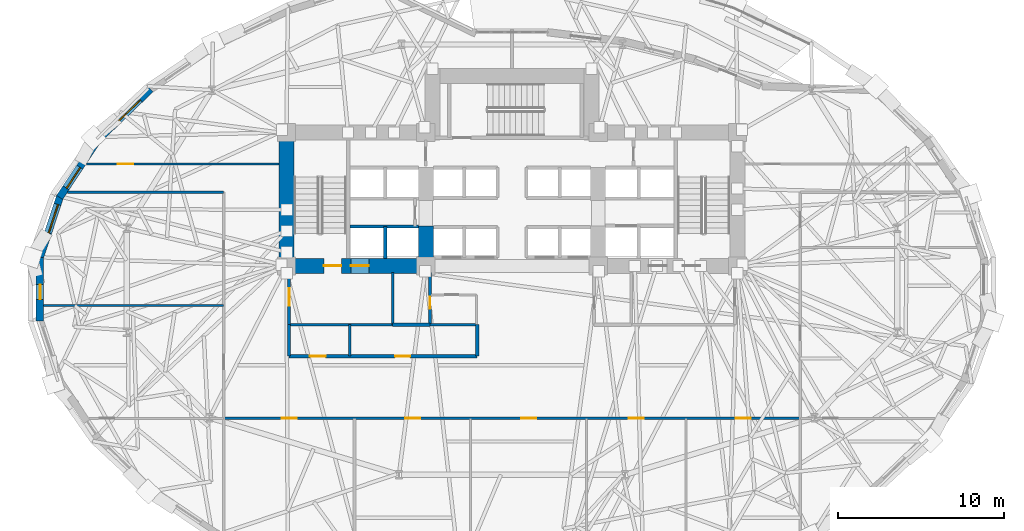
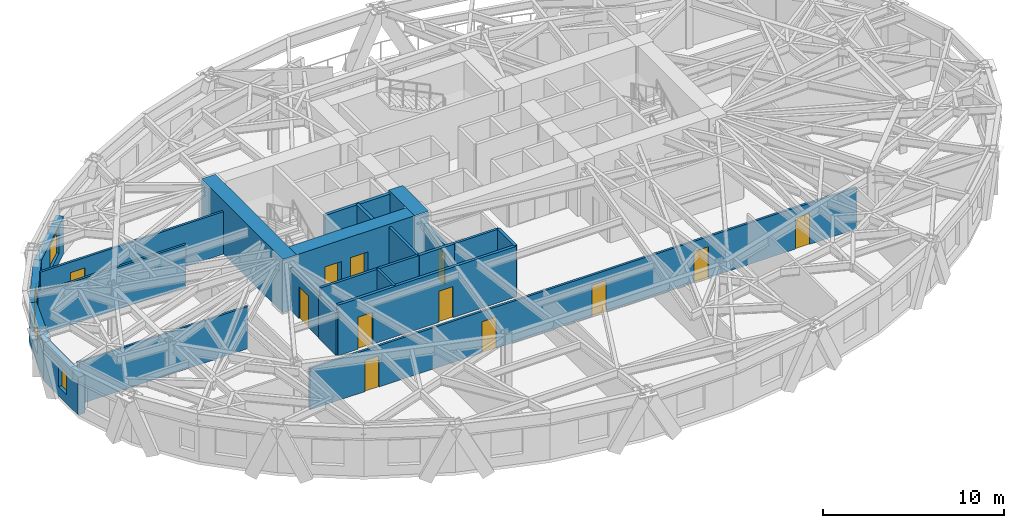
# One storey, part 8 of 15: 23 walls, 12 doors, 4 windows, 16 openings.
"""IFC4 building model written with IfcOpenShell, lengths in metres."""

from ifc_helpers import new_model, si_unit, direction, frame, frame_2d, origin, place, context, subcontext, project, spatial, rectangle, extrude, material, layer, layer_set, type_object, element, fill, save


model = new_model("IFC4")

# Units and contexts
model_context = context("Model", 3, precision=1e-05, world=origin(), true_north=direction((0.0, 1.0)))
body_context = subcontext(model_context, "Body", "Model", "MODEL_VIEW")
ifc_project = project(units=[si_unit("LENGTHUNIT", "METRE"), si_unit("AREAUNIT", "SQUARE_METRE"), si_unit("VOLUMEUNIT", "CUBIC_METRE"), si_unit("PLANEANGLEUNIT", "RADIAN"), si_unit("MASSUNIT", "GRAM", prefix="KILO")], contexts=[model_context])

# Site, building, storey
site_placement = place(None, origin())
site = spatial("IfcSite", under=ifc_project, at=site_placement, CompositionType="ELEMENT")
building_placement = place(site_placement, origin())
building = spatial("IfcBuilding", under=site, at=building_placement, Name="Keldmark Tower", CompositionType="ELEMENT")
storey_placement = place(building_placement, frame((0.0, 0.0, 55.800048828125)))
storey = spatial("IfcBuildingStorey", under=building, at=storey_placement, Name="L14", CompositionType="ELEMENT", Elevation=55.800048828125)

# Wall, openings, doors
ifc_material_1 = material(Name="Acoustic Double-Layer Gypsum Corridor Partition", Category="gypsum")
ifc_layer_1 = layer(ifc_material_1, 0.139892578125)
ifc_layer_set_1 = layer_set([ifc_layer_1], Name="Acoustic Double-Layer Gypsum Corridor Partition")
wall_type_1 = type_object("IfcWallType", Name="Acoustic Corridor Partition 140 mm", PredefinedType="PARTITIONING", material=ifc_layer_set_1)
wall_1_placement = place(storey_placement, frame((-17.39990234375, -7.800048828125, 0.0), z_axis=(0.0, 0.0, 1.0), x_axis=(1.0, 0.0, 0.0)))
wall_1 = element("IfcWall", 1, at=wall_1_placement, inside=storey, type_object=wall_type_1, Name="L14 Acoustic Corridor Partition 140 mm COR-S", PredefinedType="PARTITIONING", context=body_context, shape_type="SweptSolid", body=[
    extrude(rectangle(XDim=34.7998046875, YDim=0.139892578125, at=frame_2d((17.39990234375, 0.0))), origin(), (0.0, 0.0, 1.0), 2.779052734375),
])
opening_1_placement = place(wall_1_placement, frame((3.5, 0.0, 0.0)))
opening_1 = element("IfcOpeningElement", 2, at=opening_1_placement, cuts=wall_1, Name="Opening D-IN090", PredefinedType="OPENING", context=body_context, shape_type="SweptSolid", body=[
    extrude(rectangle(XDim=0.89990234375, YDim=2.10009765625, at=frame_2d((0.449951171875, 1.050048828125))), frame((0.0, 0.079833984375, 0.0), z_axis=(0.0, -1.0, 0.0), x_axis=(1.0, 0.0, 0.0)), (0.0, 0.0, 1.0), 0.159912109375),
])
opening_2_placement = place(wall_1_placement, frame((10.949951171875, 0.0, 0.0)))
opening_2 = element("IfcOpeningElement", 3, at=opening_2_placement, cuts=wall_1, Name="Opening D-IN090", PredefinedType="OPENING", context=body_context, shape_type="SweptSolid", body=[
    extrude(rectangle(XDim=0.89990234375, YDim=2.10009765625, at=frame_2d((0.449951171875, 1.050048828125))), frame((0.0, 0.079833984375, 0.0), z_axis=(0.0, -1.0, 0.0), x_axis=(1.0, 0.0, 0.0)), (0.0, 0.0, 1.0), 0.159912109375),
])
opening_3_placement = place(wall_1_placement, frame((17.949951171875, 0.0, 0.0)))
opening_3 = element("IfcOpeningElement", 4, at=opening_3_placement, cuts=wall_1, Name="Opening D-IN090", PredefinedType="OPENING", context=body_context, shape_type="SweptSolid", body=[
    extrude(rectangle(XDim=0.89990234375, YDim=2.10009765625, at=frame_2d((0.449951171875, 1.050048828125))), frame((0.0, 0.079833984375, 0.0), z_axis=(0.0, -1.0, 0.0), x_axis=(1.0, 0.0, 0.0)), (0.0, 0.0, 1.0), 0.159912109375),
])
opening_4_placement = place(wall_1_placement, frame((24.449951171875, 0.0, 0.0)))
opening_4 = element("IfcOpeningElement", 5, at=opening_4_placement, cuts=wall_1, Name="Opening D-IN090", PredefinedType="OPENING", context=body_context, shape_type="SweptSolid", body=[
    extrude(rectangle(XDim=0.89990234375, YDim=2.10009765625, at=frame_2d((0.449951171875, 1.050048828125))), frame((0.0, 0.079833984375, 0.0), z_axis=(0.0, -1.0, 0.0), x_axis=(1.0, 0.0, 0.0)), (0.0, 0.0, 1.0), 0.159912109375),
])
opening_5_placement = place(wall_1_placement, frame((30.89990234375, 0.0, 0.0)))
opening_5 = element("IfcOpeningElement", 6, at=opening_5_placement, cuts=wall_1, Name="Opening D-IN090", PredefinedType="OPENING", context=body_context, shape_type="SweptSolid", body=[
    extrude(rectangle(XDim=0.89990234375, YDim=2.10009765625, at=frame_2d((0.449951171875, 1.050048828125))), frame((0.0, 0.079833984375, 0.0), z_axis=(0.0, -1.0, 0.0), x_axis=(1.0, 0.0, 0.0)), (0.0, 0.0, 1.0), 0.159912109375),
])
ifc_material_2 = material(Name="Stained American White Oak Veneer", Category="wood")
door_type_1 = type_object("IfcDoorType", Name="Interior Door 900x2100", OperationType="NOTDEFINED", PredefinedType="DOOR", material=ifc_material_2)
door_1_placement = place(opening_1_placement, origin())
door_1 = element("IfcDoor", 7, at=door_1_placement, inside=storey, type_object=door_type_1, Name="L14 Interior Door 900x2100 D-SR-1-L14", OperationType="SINGLE_SWING_LEFT", OverallHeight=2.10009765625, OverallWidth=0.89990234375, PredefinedType="DOOR", context=body_context, shape_type="SweptSolid", body=[
    extrude(rectangle(XDim=0.89990234375, YDim=2.10009765625, at=frame_2d((0.449951171875, 1.050048828125))), frame((0.0, 0.02490234375, 0.0), z_axis=(0.0, -1.0, 0.0), x_axis=(1.0, 0.0, 0.0)), (0.0, 0.0, 1.0), 0.050048828125),
])
fill(opening_1, door_1)
door_2_placement = place(opening_2_placement, origin())
door_2 = element("IfcDoor", 8, at=door_2_placement, inside=storey, type_object=door_type_1, Name="L14 Interior Door 900x2100 D-SR-2-L14", OperationType="SINGLE_SWING_RIGHT", OverallHeight=2.10009765625, OverallWidth=0.89990234375, PredefinedType="DOOR", context=body_context, shape_type="SweptSolid", body=[
    extrude(rectangle(XDim=0.89990234375, YDim=2.10009765625, at=frame_2d((0.449951171875, 1.050048828125))), frame((0.0, 0.02490234375, 0.0), z_axis=(0.0, -1.0, 0.0), x_axis=(1.0, 0.0, 0.0)), (0.0, 0.0, 1.0), 0.050048828125),
])
fill(opening_2, door_2)
door_3_placement = place(opening_3_placement, origin())
door_3 = element("IfcDoor", 9, at=door_3_placement, inside=storey, type_object=door_type_1, Name="L14 Interior Door 900x2100 D-SR-3-L14", OperationType="SINGLE_SWING_LEFT", OverallHeight=2.10009765625, OverallWidth=0.89990234375, PredefinedType="DOOR", context=body_context, shape_type="SweptSolid", body=[
    extrude(rectangle(XDim=0.89990234375, YDim=2.10009765625, at=frame_2d((0.449951171875, 1.050048828125))), frame((0.0, 0.02490234375, 0.0), z_axis=(0.0, -1.0, 0.0), x_axis=(1.0, 0.0, 0.0)), (0.0, 0.0, 1.0), 0.050048828125),
])
fill(opening_3, door_3)
door_4_placement = place(opening_4_placement, origin())
door_4 = element("IfcDoor", 10, at=door_4_placement, inside=storey, type_object=door_type_1, Name="L14 Interior Door 900x2100 D-SR-4-L14", OperationType="SINGLE_SWING_RIGHT", OverallHeight=2.10009765625, OverallWidth=0.89990234375, PredefinedType="DOOR", context=body_context, shape_type="SweptSolid", body=[
    extrude(rectangle(XDim=0.89990234375, YDim=2.10009765625, at=frame_2d((0.449951171875, 1.050048828125))), frame((0.0, 0.02490234375, 0.0), z_axis=(0.0, -1.0, 0.0), x_axis=(1.0, 0.0, 0.0)), (0.0, 0.0, 1.0), 0.050048828125),
])
fill(opening_4, door_4)
door_5_placement = place(opening_5_placement, origin())
door_5 = element("IfcDoor", 11, at=door_5_placement, inside=storey, type_object=door_type_1, Name="L14 Interior Door 900x2100 D-SR-5-L14", OperationType="SINGLE_SWING_LEFT", OverallHeight=2.10009765625, OverallWidth=0.89990234375, PredefinedType="DOOR", context=body_context, shape_type="SweptSolid", body=[
    extrude(rectangle(XDim=0.89990234375, YDim=2.10009765625, at=frame_2d((0.449951171875, 1.050048828125))), frame((0.0, 0.02490234375, 0.0), z_axis=(0.0, -1.0, 0.0), x_axis=(1.0, 0.0, 0.0)), (0.0, 0.0, 1.0), 0.050048828125),
])
fill(opening_5, door_5)

# Wall, opening, door
wall_2_placement = place(storey_placement, frame((-25.68359375, 7.550048828125, 0.0), z_axis=(0.0, 0.0, 1.0), x_axis=(1.0, 0.0, 0.0)))
wall_2 = element("IfcWall", 12, at=wall_2_placement, inside=storey, type_object=wall_type_1, Name="L14 Acoustic Corridor Partition 140 mm COR-WN-CAP", PredefinedType="PARTITIONING", context=body_context, shape_type="SweptSolid", body=[
    extrude(rectangle(XDim=11.633544921875, YDim=0.139892578125, at=frame_2d((5.81689453125, 0.0))), origin(), (0.0, 0.0, 1.0), 2.85302734375),
])
opening_6_placement = place(wall_2_placement, frame((1.900146484375, 0.0, 0.0)))
opening_6 = element("IfcOpeningElement", 13, at=opening_6_placement, cuts=wall_2, Name="Opening D-EX092", PredefinedType="OPENING", context=body_context, shape_type="SweptSolid", body=[
    extrude(rectangle(XDim=0.919921875, YDim=2.14990234375, at=frame_2d((0.4599609375, 1.074951171875))), frame((0.0, 0.079833984375, 0.0), z_axis=(0.0, -1.0, 0.0), x_axis=(1.0, 0.0, 0.0)), (0.0, 0.0, 1.0), 0.159912109375),
])
ifc_material_3 = material(Name="Flush American Ash Executive Office Door", Category="wood")
door_type_2 = type_object("IfcDoorType", Name="Executive Office Door 920x2150", OperationType="NOTDEFINED", PredefinedType="DOOR", material=ifc_material_3)
door_6_placement = place(opening_6_placement, origin())
door_6 = element("IfcDoor", 14, at=door_6_placement, inside=storey, type_object=door_type_2, Name="L14 Executive Office Door 920x2150 D-NRNW-L14", OperationType="SINGLE_SWING_LEFT", OverallHeight=2.14990234375, OverallWidth=0.919921875, PredefinedType="DOOR", context=body_context, shape_type="SweptSolid", body=[
    extrude(rectangle(XDim=0.919921875, YDim=2.14990234375, at=frame_2d((0.4599609375, 1.074951171875))), frame((0.0, 0.02490234375, 0.0), z_axis=(0.0, -1.0, 0.0), x_axis=(1.0, 0.0, 0.0)), (0.0, 0.0, 1.0), 0.050048828125),
])
fill(opening_6, door_6)

# Wall
wall_3_placement = place(storey_placement, frame((-26.8125, 5.85009765625, 0.0), z_axis=(0.0, 0.0, 1.0), x_axis=(1.0, 0.0, 0.0)))
element("IfcWall", 15, at=wall_3_placement, inside=storey, type_object=wall_type_1, Name="L14 Acoustic Corridor Partition 140 mm COR-WA-S", PredefinedType="PARTITIONING", context=body_context, shape_type="SweptSolid", body=[
    extrude(rectangle(XDim=9.41259765625, YDim=0.139892578125, at=frame_2d((4.706298828125, 0.0))), origin(), (0.0, 0.0, 1.0), 2.85302734375),
])

# Wall, openings, doors
ifc_material_4 = material(Name="Heavy Acoustic Plumbing Chase Gypsum Assembly", Category="gypsum")
ifc_layer_2 = layer(ifc_material_4, 0.18994140625)
ifc_layer_set_2 = layer_set([ifc_layer_2], Name="Heavy Acoustic Plumbing Chase Gypsum Assembly")
wall_type_2 = type_object("IfcWallType", Name="Heavy Wet Wall 190 mm", PredefinedType="PLUMBINGWALL", material=ifc_layer_set_2)
wall_4_placement = place(storey_placement, frame((-13.449951171875, -4.050048828125, 0.0), z_axis=(0.0, 0.0, 1.0), x_axis=(1.0, 0.0, 0.0)))
wall_4 = element("IfcWall", 16, at=wall_4_placement, inside=storey, type_object=wall_type_2, Name="L14 Heavy Wet Wall 190 mm SPK-W-S", PredefinedType="PLUMBINGWALL", context=body_context, shape_type="SweptSolid", body=[
    extrude(rectangle(XDim=11.349853515625, YDim=0.18994140625, at=frame_2d((5.6748046875, 0.0))), origin(), (0.0, 0.0, 1.0), 3.39990234375),
])
opening_7_placement = place(wall_4_placement, frame((1.25, 0.0, 0.0)))
opening_7 = element("IfcOpeningElement", 17, at=opening_7_placement, cuts=wall_4, Name="Opening D-AWC95", PredefinedType="OPENING", context=body_context, shape_type="SweptSolid", body=[
    extrude(rectangle(XDim=0.949951171875, YDim=2.14990234375, at=frame_2d((0.47509765625, 1.074951171875))), frame((0.0, 0.10498046875, 0.0), z_axis=(0.0, -1.0, 0.0), x_axis=(1.0, 0.0, 0.0)), (0.0, 0.0, 1.0), 0.2099609375),
])
opening_8_placement = place(wall_4_placement, frame((6.39990234375, 0.0, 0.0)))
opening_8 = element("IfcOpeningElement", 18, at=opening_8_placement, cuts=wall_4, Name="Opening D-IN090", PredefinedType="OPENING", context=body_context, shape_type="SweptSolid", body=[
    extrude(rectangle(XDim=0.89990234375, YDim=2.10009765625, at=frame_2d((0.449951171875, 1.050048828125))), frame((0.0, 0.10498046875, 0.0), z_axis=(0.0, -1.0, 0.0), x_axis=(1.0, 0.0, 0.0)), (0.0, 0.0, 1.0), 0.2099609375),
])
ifc_material_5 = material(Name="Painted Solid-Core Architectural Wood", Category="wood")
door_type_3 = type_object("IfcDoorType", Name="Accessible WC Door 950x2150", OperationType="NOTDEFINED", PredefinedType="DOOR", material=ifc_material_5)
door_7_placement = place(opening_7_placement, origin())
door_7 = element("IfcDoor", 19, at=door_7_placement, inside=storey, type_object=door_type_3, Name="L14 Accessible WC Door 950x2150 D-SPKW1-L14", OperationType="SINGLE_SWING_RIGHT", OverallHeight=2.14990234375, OverallWidth=0.949951171875, PredefinedType="DOOR", context=body_context, shape_type="SweptSolid", body=[
    extrude(rectangle(XDim=0.949951171875, YDim=2.14990234375, at=frame_2d((0.47509765625, 1.074951171875))), frame((0.0, 0.02490234375, 0.0), z_axis=(0.0, -1.0, 0.0), x_axis=(1.0, 0.0, 0.0)), (0.0, 0.0, 1.0), 0.050048828125),
])
fill(opening_7, door_7)
door_8_placement = place(opening_8_placement, origin())
door_8 = element("IfcDoor", 20, at=door_8_placement, inside=storey, type_object=door_type_1, Name="L14 Interior Door 900x2100 D-SPKW2-L14", OperationType="SINGLE_SWING_RIGHT", OverallHeight=2.10009765625, OverallWidth=0.89990234375, PredefinedType="DOOR", context=body_context, shape_type="SweptSolid", body=[
    extrude(rectangle(XDim=0.89990234375, YDim=2.10009765625, at=frame_2d((0.449951171875, 1.050048828125))), frame((0.0, 0.02490234375, 0.0), z_axis=(0.0, -1.0, 0.0), x_axis=(1.0, 0.0, 0.0)), (0.0, 0.0, 1.0), 0.050048828125),
])
fill(opening_8, door_8)

# Walls
wall_5_placement = place(storey_placement, frame((-13.449951171875, -4.050048828125, 0.0), z_axis=(0.0, 0.0, 1.0), x_axis=(0.0, 1.0, 0.0)))
element("IfcWall", 21, at=wall_5_placement, inside=storey, type_object=wall_type_2, Name="L14 Heavy Wet Wall 190 mm SPK-W-W", PredefinedType="PLUMBINGWALL", context=body_context, shape_type="SweptSolid", body=[
    extrude(rectangle(XDim=1.900146484375, YDim=0.18994140625, at=frame_2d((0.9501953125, 0.0))), origin(), (0.0, 0.0, 1.0), 2.85302734375),
])
wall_6_placement = place(storey_placement, frame((-2.10009765625, -4.050048828125, 0.0), z_axis=(0.0, 0.0, 1.0), x_axis=(0.0, 1.0, 0.0)))
element("IfcWall", 22, at=wall_6_placement, inside=storey, type_object=wall_type_2, Name="L14 Heavy Wet Wall 190 mm SPK-W-E", PredefinedType="PLUMBINGWALL", context=body_context, shape_type="SweptSolid", body=[
    extrude(rectangle(XDim=1.900146484375, YDim=0.18994140625, at=frame_2d((0.9501953125, 0.0))), origin(), (0.0, 0.0, 1.0), 3.39990234375),
])
ifc_material_6 = material(Name="Acoustic Gypsum Board Interior Partition", Category="gypsum")
ifc_layer_3 = layer(ifc_material_6, 0.1298828125)
ifc_layer_set_3 = layer_set([ifc_layer_3], Name="Acoustic Gypsum Board Interior Partition")
wall_type_3 = type_object("IfcWallType", Name="Interior Partition 130 mm", PredefinedType="PARTITIONING", material=ifc_layer_set_3)
wall_7_placement = place(storey_placement, frame((-28.265625, -1.0, 0.0), z_axis=(0.0, 0.0, 1.0), x_axis=(1.0, 0.0, 0.0)))
element("IfcWall", 23, at=wall_7_placement, inside=storey, type_object=wall_type_3, Name="L14 Interior Partition 130 mm W-DIV-1", PredefinedType="PARTITIONING", context=body_context, shape_type="SweptSolid", body=[
    extrude(rectangle(XDim=10.86572265625, YDim=0.1298828125, at=frame_2d((5.432861328125, 0.0))), origin(), (0.0, 0.0, 1.0), 2.841064453125),
])
ifc_material_7 = material(Name="Concrete C70/85", Category="concrete")
ifc_layer_4 = layer(ifc_material_7, 0.89990234375)
ifc_layer_set_4 = layer_set([ifc_layer_4], Name="Concrete C70/85")
wall_type_4 = type_object("IfcWallType", Name="Lower Core Shear Wall 900 mm", PredefinedType="SHEAR", material=ifc_layer_set_4)
wall_8_placement = place(storey_placement, frame((-13.60009765625, 0.949951171875, 0.0), z_axis=(0.0, 0.0, 1.0), x_axis=(0.0, 1.0, 0.0)))
element("IfcWall", 24, at=wall_8_placement, inside=storey, type_object=wall_type_4, Name="L14 West Core Outer Shear Wall", PredefinedType="SHEAR", context=body_context, shape_type="SweptSolid", body=[
    extrude(rectangle(XDim=8.949951171875, YDim=0.89990234375, at=frame_2d((4.47509765625, 0.0))), origin(), (0.0, 0.0, 1.0), 3.599853515625),
])

# Wall, openings, doors
wall_9_placement = place(storey_placement, frame((-4.75, 1.39990234375, 0.0), z_axis=(0.0, 0.0, 1.0), x_axis=(-1.0, 0.0, 0.0)))
wall_9 = element("IfcWall", 25, at=wall_9_placement, inside=storey, type_object=wall_type_4, Name="L14 West Core South Shear Wall", PredefinedType="SHEAR", context=body_context, shape_type="SweptSolid", body=[
    extrude(rectangle(XDim=9.300048828125, YDim=0.89990234375, at=frame_2d((4.64990234375, 0.0))), origin(), (0.0, 0.0, 1.0), 3.599853515625),
])
opening_9_placement = place(wall_9_placement, frame((5.550048828125, 0.0, 0.0)))
opening_9 = element("IfcOpeningElement", 26, at=opening_9_placement, cuts=wall_9, Name="Opening D-ST105", PredefinedType="OPENING", context=body_context, shape_type="SweptSolid", body=[
    extrude(rectangle(XDim=1.050048828125, YDim=2.14990234375, at=frame_2d((0.52490234375, 1.074951171875))), frame((0.0, 0.4599609375, 0.0), z_axis=(0.0, -1.0, 0.0), x_axis=(1.0, 0.0, 0.0)), (0.0, 0.0, 1.0), 0.919921875),
])
opening_10_placement = place(wall_9_placement, frame((3.8798828125, 0.0, 0.0)))
opening_10 = element("IfcOpeningElement", 27, at=opening_10_placement, cuts=wall_9, Name="Opening LD-110", PredefinedType="OPENING", context=body_context, shape_type="SweptSolid", body=[
    extrude(rectangle(XDim=1.10009765625, YDim=2.199951171875, at=frame_2d((0.550048828125, 1.10009765625))), frame((0.0, 0.4599609375, 0.0), z_axis=(0.0, -1.0, 0.0), x_axis=(1.0, 0.0, 0.0)), (0.0, 0.0, 1.0), 0.919921875),
])
ifc_material_8 = material(Name="Brushed Bronze Hoistway Sliding Leaf", Category="metal")
door_type_4 = type_object("IfcDoorType", Name="Lift Landing Sliding Door 1100x2200", OperationType="SLIDING_TO_LEFT", PredefinedType="DOOR", material=ifc_material_8)
door_9_placement = place(opening_10_placement, origin())
door_9 = element("IfcDoor", 28, at=door_9_placement, inside=storey, type_object=door_type_4, Name="L14 Lift Landing Sliding Door 1100x2200 LD-EL-FS1-L14", OperationType="SLIDING_TO_LEFT", OverallHeight=2.199951171875, OverallWidth=1.10009765625, PredefinedType="DOOR", context=body_context, shape_type="SweptSolid", body=[
    extrude(rectangle(XDim=1.10009765625, YDim=2.199951171875, at=frame_2d((0.550048828125, 1.10009765625))), frame((0.0, 0.02490234375, 0.0), z_axis=(0.0, -1.0, 0.0), x_axis=(1.0, 0.0, 0.0)), (0.0, 0.0, 1.0), 0.050048828125),
])
fill(opening_10, door_9)
ifc_material_9 = material(Name="Hollow Metal Fire-Rated Door Assembly", Category="metal")
door_type_5 = type_object("IfcDoorType", Name="Stair Fire Door 1050x2150", OperationType="NOTDEFINED", PredefinedType="DOOR", material=ifc_material_9)
door_10_placement = place(opening_9_placement, origin())
door_10 = element("IfcDoor", 29, at=door_10_placement, inside=storey, type_object=door_type_5, Name="L14 Stair Fire Door 1050x2150 D-ST1-L14", OperationType="SINGLE_SWING_RIGHT", OverallHeight=2.14990234375, OverallWidth=1.050048828125, PredefinedType="DOOR", context=body_context, shape_type="SweptSolid", body=[
    extrude(rectangle(XDim=1.050048828125, YDim=2.14990234375, at=frame_2d((0.52490234375, 1.074951171875))), frame((0.0, 0.02490234375, 0.0), z_axis=(0.0, -1.0, 0.0), x_axis=(1.0, 0.0, 0.0)), (0.0, 0.0, 1.0), 0.050048828125),
])
fill(opening_9, door_10)

# Walls
wall_10_placement = place(storey_placement, frame((-5.199951171875, 0.949951171875, 0.0), z_axis=(0.0, 0.0, 1.0), x_axis=(0.0, 1.0, 0.0)))
element("IfcWall", 30, at=wall_10_placement, inside=storey, type_object=wall_type_4, Name="L14 West Core Inner Shear Pier South", PredefinedType="SHEAR", context=body_context, shape_type="SweptSolid", body=[
    extrude(rectangle(XDim=2.85009765625, YDim=0.89990234375, at=frame_2d((1.425048828125, 0.0))), origin(), (0.0, 0.0, 1.0), 3.599853515625),
])
ifc_material_10 = material(Name="Type X Fire-Rated Gypsum Partition Assembly", Category="gypsum")
ifc_layer_5 = layer(ifc_material_10, 0.1650390625)
ifc_layer_set_5 = layer_set([ifc_layer_5], Name="Type X Fire-Rated Gypsum Partition Assembly")
wall_type_5 = type_object("IfcWallType", Name="Rated Partition 165 mm", PredefinedType="PARTITIONING", material=ifc_layer_set_5)
wall_11_placement = place(storey_placement, frame((-13.449951171875, -2.14990234375, 0.0), z_axis=(0.0, 0.0, 1.0), x_axis=(1.0, 0.0, 0.0)))
element("IfcWall", 31, at=wall_11_placement, inside=storey, type_object=wall_type_5, Name="L14 Rated Partition 165 mm FSAE-W-S", PredefinedType="PARTITIONING", context=body_context, shape_type="SweptSolid", body=[
    extrude(rectangle(XDim=6.25, YDim=0.1650390625, at=frame_2d((3.125, 0.0))), origin(), (0.0, 0.0, 1.0), 3.39990234375),
])

# Wall, opening, door
wall_12_placement = place(storey_placement, frame((-13.449951171875, -2.14990234375, 0.0), z_axis=(0.0, 0.0, 1.0), x_axis=(0.0, 1.0, 0.0)))
wall_12 = element("IfcWall", 32, at=wall_12_placement, inside=storey, type_object=wall_type_5, Name="L14 Rated Partition 165 mm FSAE-W-W", PredefinedType="PARTITIONING", context=body_context, shape_type="SweptSolid", body=[
    extrude(rectangle(XDim=3.14990234375, YDim=0.1650390625, at=frame_2d((1.574951171875, 0.0))), origin(), (0.0, 0.0, 1.0), 2.85302734375),
])
opening_11_placement = place(wall_12_placement, frame((1.14990234375, 0.0, 0.0)))
opening_11 = element("IfcOpeningElement", 33, at=opening_11_placement, cuts=wall_12, Name="Opening D-FL105", PredefinedType="OPENING", context=body_context, shape_type="SweptSolid", body=[
    extrude(rectangle(XDim=1.050048828125, YDim=2.14990234375, at=frame_2d((0.52490234375, 1.074951171875))), frame((0.0, 0.092529296875, 0.0), z_axis=(0.0, -1.0, 0.0), x_axis=(1.0, 0.0, 0.0)), (0.0, 0.0, 1.0), 0.18505859375),
])
ifc_material_11 = material(Name="Fire-Rated Mineral-Core Door and Vision Lite", Category="metal")
door_type_6 = type_object("IfcDoorType", Name="Fire Lobby Door 1050x2150", OperationType="NOTDEFINED", PredefinedType="DOOR", material=ifc_material_11)
door_11_placement = place(opening_11_placement, origin())
door_11 = element("IfcDoor", 34, at=door_11_placement, inside=storey, type_object=door_type_6, Name="L14 Fire Lobby Door 1050x2150 D-FSAEW-OUT-L14", OperationType="SINGLE_SWING_LEFT", OverallHeight=2.14990234375, OverallWidth=1.050048828125, PredefinedType="DOOR", context=body_context, shape_type="SweptSolid", body=[
    extrude(rectangle(XDim=1.050048828125, YDim=2.14990234375, at=frame_2d((0.52490234375, 1.074951171875))), frame((0.0, 0.02490234375, 0.0), z_axis=(0.0, -1.0, 0.0), x_axis=(1.0, 0.0, 0.0)), (0.0, 0.0, 1.0), 0.050048828125),
])
fill(opening_11, door_11)

# Walls
wall_13_placement = place(storey_placement, frame((-7.199951171875, -2.14990234375, 0.0), z_axis=(0.0, 0.0, 1.0), x_axis=(0.0, 1.0, 0.0)))
element("IfcWall", 35, at=wall_13_placement, inside=storey, type_object=wall_type_5, Name="L14 Rated Partition 165 mm FSAE-W-E", PredefinedType="PARTITIONING", context=body_context, shape_type="SweptSolid", body=[
    extrude(rectangle(XDim=3.14990234375, YDim=0.1650390625, at=frame_2d((1.574951171875, 0.0))), origin(), (0.0, 0.0, 1.0), 3.39990234375),
])
ifc_material_12 = material(Name="Fire-Resistant Type X Gypsum Shaftliner Coreboard", Category="gypsum")
ifc_layer_6 = layer(ifc_material_12, 0.199951171875)
ifc_layer_set_6 = layer_set([ifc_layer_6], Name="Fire-Resistant Type X Gypsum Shaftliner Coreboard")
wall_type_6 = type_object("IfcWallType", Name="Shaft Wall 200 mm", PredefinedType="SOLIDWALL", material=ifc_layer_set_6)
wall_14_placement = place(storey_placement, frame((-7.199951171875, -2.14990234375, 0.0), z_axis=(0.0, 0.0, 1.0), x_axis=(1.0, 0.0, 0.0)))
element("IfcWall", 36, at=wall_14_placement, inside=storey, type_object=wall_type_6, Name="L14 Shaft Wall 200 mm RIS-SW-S", PredefinedType="SOLIDWALL", context=body_context, shape_type="SweptSolid", body=[
    extrude(rectangle(XDim=2.25, YDim=0.199951171875, at=frame_2d((1.125, 0.0))), origin(), (0.0, 0.0, 1.0), 3.39990234375),
])

# Wall, opening, door
wall_15_placement = place(storey_placement, frame((-4.949951171875, -2.14990234375, 0.0), z_axis=(0.0, 0.0, 1.0), x_axis=(0.0, 1.0, 0.0)))
wall_15 = element("IfcWall", 37, at=wall_15_placement, inside=storey, type_object=wall_type_6, Name="L14 Shaft Wall 200 mm RIS-SW-E", PredefinedType="SOLIDWALL", context=body_context, shape_type="SweptSolid", body=[
    extrude(rectangle(XDim=3.14990234375, YDim=0.199951171875, at=frame_2d((1.574951171875, 0.0))), origin(), (0.0, 0.0, 1.0), 2.85302734375),
])
opening_12_placement = place(wall_15_placement, frame((0.949951171875, 0.0, 0.0)))
opening_12 = element("IfcOpeningElement", 38, at=opening_12_placement, cuts=wall_15, Name="Opening D-RS075", PredefinedType="OPENING", context=body_context, shape_type="SweptSolid", body=[
    extrude(rectangle(XDim=0.75, YDim=2.10009765625, at=frame_2d((0.375, 1.050048828125))), frame((0.0, 0.10986328125, 0.0), z_axis=(0.0, -1.0, 0.0), x_axis=(1.0, 0.0, 0.0)), (0.0, 0.0, 1.0), 0.219970703125),
])
ifc_material_13 = material(Name="Galvanized Fire-Rated Access Leaf", Category="metal")
door_type_7 = type_object("IfcDoorType", Name="Riser Access Door 750x2100", OperationType="NOTDEFINED", PredefinedType="DOOR", material=ifc_material_13)
door_12_placement = place(opening_12_placement, origin())
door_12 = element("IfcDoor", 39, at=door_12_placement, inside=storey, type_object=door_type_7, Name="L14 Riser Access Door 750x2100 D-RISSW-L14", OperationType="SINGLE_SWING_RIGHT", OverallHeight=2.10009765625, OverallWidth=0.75, PredefinedType="DOOR", context=body_context, shape_type="SweptSolid", body=[
    extrude(rectangle(XDim=0.75, YDim=2.10009765625, at=frame_2d((0.375, 1.050048828125))), frame((0.0, 0.02490234375, 0.0), z_axis=(0.0, -1.0, 0.0), x_axis=(1.0, 0.0, 0.0)), (0.0, 0.0, 1.0), 0.050048828125),
])
fill(opening_12, door_12)

# Walls
wall_16_placement = place(storey_placement, frame((-9.780029296875, 3.780029296875, 0.0), z_axis=(0.0, 0.0, 1.0), x_axis=(1.0, 0.0, 0.0)))
element("IfcWall", 40, at=wall_16_placement, inside=storey, type_object=wall_type_6, Name="L14 Shaft Wall 200 mm HW-W-S", PredefinedType="SOLIDWALL", context=body_context, shape_type="SweptSolid", body=[
    extrude(rectangle(XDim=4.130126953125, YDim=0.199951171875, at=frame_2d((2.06494140625, 0.0))), origin(), (0.0, 0.0, 1.0), 3.39990234375),
])
wall_17_placement = place(storey_placement, frame((-7.64990234375, 1.85009765625, 0.0), z_axis=(0.0, 0.0, 1.0), x_axis=(0.0, 1.0, 0.0)))
element("IfcWall", 41, at=wall_17_placement, inside=storey, type_object=wall_type_6, Name="L14 Shaft Wall 200 mm HW-W-M", PredefinedType="SOLIDWALL", context=body_context, shape_type="SweptSolid", body=[
    extrude(rectangle(XDim=1.929931640625, YDim=0.199951171875, at=frame_2d((0.96484375, 0.0))), origin(), (0.0, 0.0, 1.0), 3.39990234375),
])

# Wall, opening, window
ifc_material_14 = material(Name="Ironspot Manganese Brick and Kasota Buff Limestone Spandrel Assembly", Category="masonry")
ifc_layer_7 = layer(ifc_material_14, 0.43994140625)
ifc_layer_set_7 = layer_set([ifc_layer_7], Name="Ironspot Manganese Brick and Kasota Buff Limestone Spandrel Assembly")
wall_type_7 = type_object("IfcWallType", Name="Tower Brick Pier and Spandrel Wall 440 mm", PredefinedType="STANDARD", material=ifc_layer_set_7)
wall_18_placement = place(storey_placement, frame((-25.0244140625, 8.96435546875, 0.0), z_axis=(0.0, 0.0, 1.0), x_axis=(0.719928259859, 0.694048485811, 0.0)))
wall_18 = element("IfcWall", 42, at=wall_18_placement, inside=storey, type_object=wall_type_7, Name="L14 Exterior Brick and Spandrel Wall 13", PredefinedType="STANDARD", context=body_context, shape_type="SweptSolid", body=[
    extrude(rectangle(XDim=4.462158203125, YDim=0.43994140625, at=frame_2d((2.23095703125, 0.0))), origin(), (0.0, 0.0, 1.0), 2.529052734375),
])
opening_13_placement = place(wall_18_placement, frame((1.773681640625, 0.0, 0.64990234375)))
opening_13 = element("IfcOpeningElement", 43, at=opening_13_placement, cuts=wall_18, Name="Opening W-02", PredefinedType="OPENING", context=body_context, shape_type="SweptSolid", body=[
    extrude(rectangle(XDim=1.800048828125, YDim=1.699951171875, at=frame_2d((0.89990234375, 0.85009765625))), frame((0.0, 0.22998046875, 0.0), z_axis=(0.0, -1.0, 0.0), x_axis=(1.0, 0.0, 0.0)), (0.0, 0.0, 1.0), 0.4599609375),
])
ifc_material_15 = material(Name="Thermally Broken Anodized Aluminum and Triple Low-E Argon Glazing", Category="aluminium")
window_type_1 = type_object("IfcWindowType", Name="Office Deep-Set Triple Window 1800x1700", PartitioningType="TRIPLE_PANEL_VERTICAL", PredefinedType="WINDOW", material=ifc_material_15)
window_1_placement = place(opening_13_placement, origin())
window_1 = element("IfcWindow", 44, at=window_1_placement, inside=storey, type_object=window_type_1, Name="L14 Deep-Set Window 13", OverallHeight=1.699951171875, OverallWidth=1.800048828125, PartitioningType="SINGLE_PANEL", PredefinedType="WINDOW", context=body_context, shape_type="SweptSolid", body=[
    extrude(rectangle(XDim=1.800048828125, YDim=1.699951171875, at=frame_2d((0.89990234375, 0.85009765625))), frame((0.0, -0.010009765625, 0.0), z_axis=(0.0, -1.0, 0.0), x_axis=(1.0, 0.0, 0.0)), (0.0, 0.0, 1.0), 0.06005859375),
])
fill(opening_13, window_1)

wall_19_placement = place(storey_placement, frame((-27.298828125, 5.52978515625, 0.0), z_axis=(0.0, 0.0, 1.0), x_axis=(0.553144350008, 0.833085426625, 0.0)))
wall_19 = element("IfcWall", 45, at=wall_19_placement, inside=storey, type_object=wall_type_7, Name="L14 Exterior Brick and Spandrel Wall 14", PredefinedType="STANDARD", context=body_context, shape_type="SweptSolid", body=[
    extrude(rectangle(XDim=4.1669921875, YDim=0.43994140625, at=frame_2d((2.08349609375, 0.0))), origin(), (0.0, 0.0, 1.0), 2.529052734375),
])
opening_14_placement = place(wall_19_placement, frame((0.69287109375, 0.0, 0.64990234375)))
opening_14 = element("IfcOpeningElement", 46, at=opening_14_placement, cuts=wall_19, Name="Opening W-03", PredefinedType="OPENING", context=body_context, shape_type="SweptSolid", body=[
    extrude(rectangle(XDim=1.5, YDim=1.699951171875, at=frame_2d((0.75, 0.85009765625))), frame((0.0, 0.22998046875, 0.0), z_axis=(0.0, -1.0, 0.0), x_axis=(1.0, 0.0, 0.0)), (0.0, 0.0, 1.0), 0.4599609375),
])
ifc_material_16 = material(Name="Thermally Broken Anodized Aluminum and Triple Low-E Argon Glazing", Category="aluminium")
window_type_2 = type_object("IfcWindowType", Name="Office Corner Deep-Set Window 1500x1700", PartitioningType="DOUBLE_PANEL_VERTICAL", PredefinedType="WINDOW", material=ifc_material_16)
window_2_placement = place(opening_14_placement, origin())
window_2 = element("IfcWindow", 47, at=window_2_placement, inside=storey, type_object=window_type_2, Name="L14 Deep-Set Window 14", OverallHeight=1.699951171875, OverallWidth=1.5, PartitioningType="SINGLE_PANEL", PredefinedType="WINDOW", context=body_context, shape_type="SweptSolid", body=[
    extrude(rectangle(XDim=1.5, YDim=1.699951171875, at=frame_2d((0.75, 0.85009765625))), frame((0.0, -0.010009765625, 0.0), z_axis=(0.0, -1.0, 0.0), x_axis=(1.0, 0.0, 0.0)), (0.0, 0.0, 1.0), 0.06005859375),
])
fill(opening_14, window_2)

wall_20_placement = place(storey_placement, frame((-28.504638671875, 1.84814453125, 0.0), z_axis=(0.0, 0.0, 1.0), x_axis=(0.31317140165, 0.949696621658, 0.0)))
wall_20 = element("IfcWall", 48, at=wall_20_placement, inside=storey, type_object=wall_type_7, Name="L14 Exterior Brick and Spandrel Wall 15", PredefinedType="STANDARD", context=body_context, shape_type="SweptSolid", body=[
    extrude(rectangle(XDim=3.93212890625, YDim=0.43994140625, at=frame_2d((1.966064453125, 0.0))), origin(), (0.0, 0.0, 1.0), 2.532958984375),
])
opening_15_placement = place(wall_20_placement, frame((1.63525390625, 0.0, 0.64990234375)))
opening_15 = element("IfcOpeningElement", 49, at=opening_15_placement, cuts=wall_20, Name="Opening W-02", PredefinedType="OPENING", context=body_context, shape_type="SweptSolid", body=[
    extrude(rectangle(XDim=1.800048828125, YDim=1.699951171875, at=frame_2d((0.89990234375, 0.85009765625))), frame((0.0, 0.22998046875, 0.0), z_axis=(0.0, -1.0, 0.0), x_axis=(1.0, 0.0, 0.0)), (0.0, 0.0, 1.0), 0.4599609375),
])
window_3_placement = place(opening_15_placement, origin())
window_3 = element("IfcWindow", 50, at=window_3_placement, inside=storey, type_object=window_type_1, Name="L14 Deep-Set Window 15", OverallHeight=1.699951171875, OverallWidth=1.800048828125, PartitioningType="SINGLE_PANEL", PredefinedType="WINDOW", context=body_context, shape_type="SweptSolid", body=[
    extrude(rectangle(XDim=1.800048828125, YDim=1.699951171875, at=frame_2d((0.89990234375, 0.85009765625))), frame((0.0, -0.010009765625, 0.0), z_axis=(0.0, -1.0, 0.0), x_axis=(1.0, 0.0, 0.0)), (0.0, 0.0, 1.0), 0.06005859375),
])
fill(opening_15, window_3)

wall_21_placement = place(storey_placement, frame((-28.49365234375, -1.9169921875, 0.0), z_axis=(0.0, 0.0, 1.0), x_axis=(0.0, 1.0, 0.0)))
wall_21 = element("IfcWall", 51, at=wall_21_placement, inside=storey, type_object=wall_type_7, Name="L14 Exterior Brick and Spandrel Wall 16", PredefinedType="STANDARD", context=body_context, shape_type="SweptSolid", body=[
    extrude(rectangle(XDim=3.833984375, YDim=0.43994140625, at=frame_2d((1.9169921875, 0.0))), origin(), (0.0, 0.0, 1.0), 2.532958984375),
])
opening_16_placement = place(wall_21_placement, frame((1.293212890625, 0.0, 0.580078125)))
opening_16 = element("IfcOpeningElement", 52, at=opening_16_placement, cuts=wall_21, Name="Opening W-09", PredefinedType="OPENING", context=body_context, shape_type="SweptSolid", body=[
    extrude(rectangle(XDim=0.89990234375, YDim=1.35009765625, at=frame_2d((0.449951171875, 0.675048828125))), frame((0.0, 0.22998046875, 0.0), z_axis=(0.0, -1.0, 0.0), x_axis=(1.0, 0.0, 0.0)), (0.0, 0.0, 1.0), 0.4599609375),
])
ifc_material_17 = material(Name="Thermally Broken Anodized Aluminum and Triple Low-E Argon Glazing", Category="aluminium")
window_type_3 = type_object("IfcWindowType", Name="Corner Pier Deep-Set Window 900x1350", PartitioningType="SINGLE_PANEL", PredefinedType="WINDOW", material=ifc_material_17)
window_4_placement = place(opening_16_placement, origin())
window_4 = element("IfcWindow", 53, at=window_4_placement, inside=storey, type_object=window_type_3, Name="L14 Deep-Set Window 16", OverallHeight=1.35009765625, OverallWidth=0.89990234375, PartitioningType="SINGLE_PANEL", PredefinedType="WINDOW", context=body_context, shape_type="SweptSolid", body=[
    extrude(rectangle(XDim=0.89990234375, YDim=1.35009765625, at=frame_2d((0.449951171875, 0.675048828125))), frame((0.0, -0.010009765625, 0.0), z_axis=(0.0, -1.0, 0.0), x_axis=(1.0, 0.0, 0.0)), (0.0, 0.0, 1.0), 0.06005859375),
])
fill(opening_16, window_4)

# Walls
ifc_material_18 = material(Name="Moisture-Resistant Gypsum Plumbing Partition", Category="gypsum")
ifc_layer_8 = layer(ifc_material_18, 0.14990234375)
ifc_layer_set_8 = layer_set([ifc_layer_8], Name="Moisture-Resistant Gypsum Plumbing Partition")
wall_type_8 = type_object("IfcWallType", Name="Wet Wall 150 mm", PredefinedType="PLUMBINGWALL", material=ifc_layer_set_8)
wall_22_placement = place(storey_placement, frame((-4.949951171875, -2.14990234375, 0.0), z_axis=(0.0, 0.0, 1.0), x_axis=(1.0, 0.0, 0.0)))
element("IfcWall", 54, at=wall_22_placement, inside=storey, type_object=wall_type_8, Name="L14 Wet Wall 150 mm SPK-W-N", PredefinedType="PLUMBINGWALL", context=body_context, shape_type="SweptSolid", body=[
    extrude(rectangle(XDim=2.849853515625, YDim=0.14990234375, at=frame_2d((1.4248046875, 0.0))), origin(), (0.0, 0.0, 1.0), 3.39990234375),
])
wall_23_placement = place(storey_placement, frame((-9.800048828125, -4.050048828125, 0.0), z_axis=(0.0, 0.0, 1.0), x_axis=(0.0, 1.0, 0.0)))
element("IfcWall", 55, at=wall_23_placement, inside=storey, type_object=wall_type_8, Name="L14 Wet Wall 150 mm SPK-W-D1", PredefinedType="PLUMBINGWALL", context=body_context, shape_type="SweptSolid", body=[
    extrude(rectangle(XDim=1.900146484375, YDim=0.14990234375, at=frame_2d((0.9501953125, 0.0))), origin(), (0.0, 0.0, 1.0), 3.39990234375),
])

save(model, "model.ifc")
